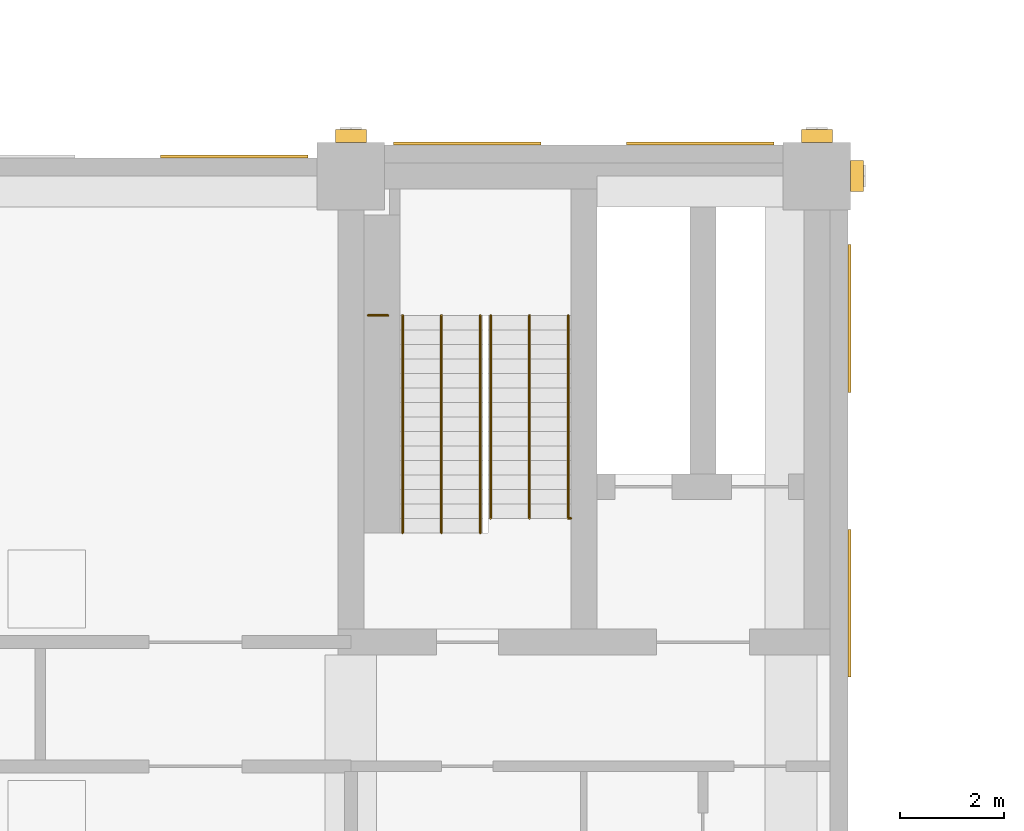
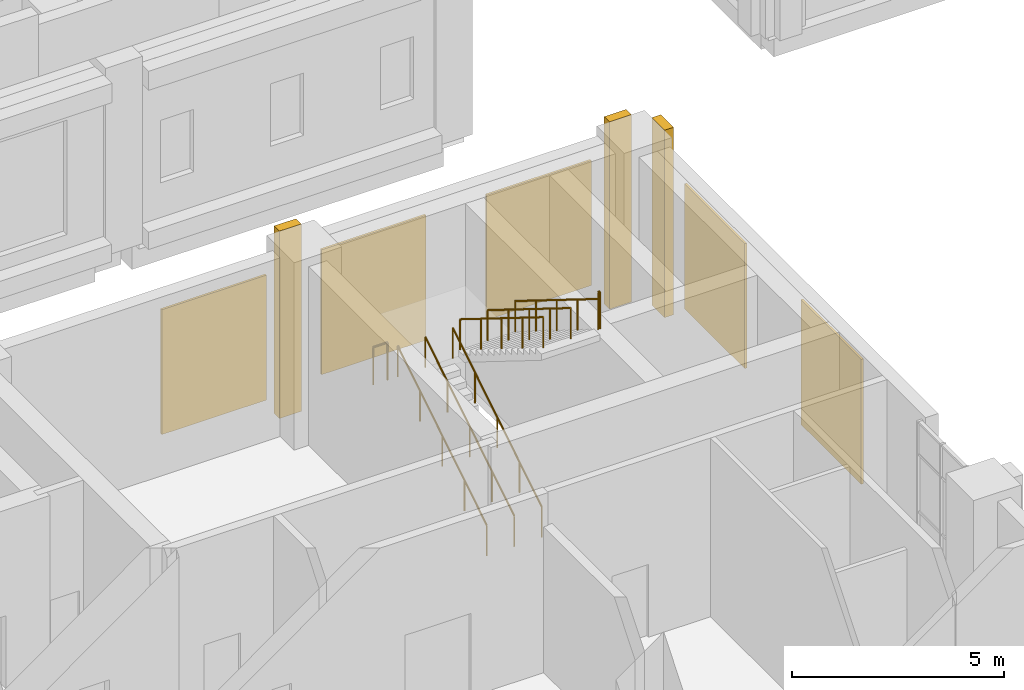
# One storey, part 28 of 37: 8 coverings, 8 railings.
"""IFC4 building model written with IfcOpenShell, lengths in metres."""

from ifc_helpers import new_model, si_unit, direction, frame, origin, origin_2d, place, context, subcontext, project, spatial, rectangle, circle, extrude, material, layer, layer_set, type_object, element, save


model = new_model("IFC4")

# Units and contexts
model_context = context("Model", 3, precision=1e-05, world=origin(), true_north=direction((0.0, 1.0)))
body_context = subcontext(model_context, "Body", "Model", "MODEL_VIEW")
ifc_project = project(units=[si_unit("LENGTHUNIT", "METRE"), si_unit("AREAUNIT", "SQUARE_METRE"), si_unit("VOLUMEUNIT", "CUBIC_METRE"), si_unit("PLANEANGLEUNIT", "RADIAN"), si_unit("MASSUNIT", "GRAM", prefix="KILO")], contexts=[model_context])

# Site, building, storey
site_placement = place(None, origin())
site = spatial("IfcSite", under=ifc_project, at=site_placement, CompositionType="ELEMENT")
building_placement = place(site_placement, origin())
building = spatial("IfcBuilding", under=site, at=building_placement, Name="Aurelan Courthouse", CompositionType="ELEMENT")
storey_placement = place(building_placement, frame((0.0, 0.0, 17.39990234375)))
storey = spatial("IfcBuildingStorey", under=building, at=storey_placement, Name="L03", CompositionType="ELEMENT", Elevation=17.39990234375)

# Coverings
ifc_material_1 = material(Name="Bronze sheet cladding")
ifc_layer = layer(ifc_material_1, 0.06005859375)
ifc_layer_set = layer_set([ifc_layer], Name="Bronze sheet cladding")
covering_type_1 = type_object("IfcCoveringType", Name="Courts' Floors blind bay 2850 x 3600", PredefinedType="CLADDING", material=ifc_layer_set)
for number, where, z_axis, x_axis, name in (
    (1, (15.75, 28.8798828125, 0.900146484375), (0.0, 0.0, 1.0), (1.0, 0.0, 0.0), "Blind bay BB-V5-L03-006"),
    (2, (20.25, 29.1298828125, 0.900146484375), (0.0, 0.0, 1.0), (1.0, 0.0, 0.0), "Blind bay BB-V5-L03-007"),
    (3, (24.75, 29.1298828125, 0.900146484375), (0.0, 0.0, 1.0), (1.0, 0.0, 0.0), "Blind bay BB-V5-L03-008"),
):
    element("IfcCovering", number, at=place(storey_placement, frame(where, z_axis=z_axis, x_axis=x_axis)), inside=storey, type_object=covering_type_1, Name=name, PredefinedType="CLADDING", context=body_context, shape_type="SweptSolid", body=[
        extrude(rectangle(XDim=2.85009765625, YDim=0.06005859375, at=origin_2d()), origin(), (0.0, 0.0, 1.0), 3.60009765625),
    ])
for number, where, z_axis, x_axis, name in (
    (4, (27.6298828125, 20.25, 0.900146484375), (0.0, 0.0, 1.0), (1.0, 0.0, 0.0), "Blind bay BB-V5-L03-009"),
    (5, (27.6298828125, 25.75, 0.900146484375), (0.0, 0.0, 1.0), (1.0, 0.0, 0.0), "Blind bay BB-V5-L03-010"),
):
    element("IfcCovering", number, at=place(storey_placement, frame(where, z_axis=z_axis, x_axis=x_axis)), inside=storey, type_object=covering_type_1, Name=name, PredefinedType="CLADDING", context=body_context, shape_type="SweptSolid", body=[
        extrude(rectangle(XDim=0.06005859375, YDim=2.85009765625, at=origin_2d()), origin(), (0.0, 0.0, 1.0), 3.60009765625),
    ])
ifc_material_2 = material(Name="Limestone cladding", Category="masonry")
covering_type_2 = type_object("IfcCoveringType", Name="Courts' Floors pilaster fin 600 x 250", PredefinedType="CLADDING", material=ifc_material_2)
for number, where, z_axis, x_axis, name in (
    (6, (18.0, 29.27490234375, 0.000244140625), (0.0, 0.0, 1.0), (1.0, 0.0, 0.0), "Pilaster fin FN-V5-021"),
    (7, (27.0, 29.27490234375, 0.000244140625), (0.0, 0.0, 1.0), (1.0, 0.0, 0.0), "Pilaster fin FN-V5-022"),
):
    element("IfcCovering", number, at=place(storey_placement, frame(where, z_axis=z_axis, x_axis=x_axis)), inside=storey, type_object=covering_type_2, Name=name, PredefinedType="CLADDING", context=body_context, shape_type="SweptSolid", body=[
        extrude(rectangle(XDim=0.60009765625, YDim=0.25, at=origin_2d()), origin(), (0.0, 0.0, 1.0), 5.39990234375),
    ])
covering_placement = place(storey_placement, frame((27.77490234375, 28.5, 0.000244140625), z_axis=(0.0, 0.0, 1.0), x_axis=(1.0, 0.0, 0.0)))
element("IfcCovering", 8, at=covering_placement, inside=storey, type_object=covering_type_2, Name="Pilaster fin FN-V5-025", PredefinedType="CLADDING", context=body_context, shape_type="SweptSolid", body=[
    extrude(rectangle(XDim=0.25, YDim=0.60009765625, at=origin_2d()), origin(), (0.0, 0.0, 1.0), 5.39990234375),
])

# Railings
ifc_material_3 = material(Name="Steel S355", Category="steel")
railing_type_1 = type_object("IfcRailingType", Name="Stair guard 1100", PredefinedType="GUARDRAIL", material=ifc_material_3)
railing_1_placement = place(storey_placement, frame((22.199951171875, 21.889892578125, 5.400146484375)))
element("IfcRailing", 9, at=railing_1_placement, inside=storey, type_object=railing_type_1, Name="Guard ST-5A-L03-H5-C", PredefinedType="GUARDRAIL", context=body_context, shape_type="SweptSolid", body=[
    extrude(circle(Radius=0.02392578125, at=origin_2d()), frame((0.0, 0.0, 1.076171875), z_axis=(1.0, 0.0, 0.0), x_axis=(0.0, 1.0, 0.0)), (0.0, 0.0, 1.0), 0.050048828125),
    extrude(circle(Radius=0.02099609375, at=origin_2d()), origin(), (0.0, 0.0, 1.0), 1.052001953125),
    extrude(circle(Radius=0.02099609375, at=origin_2d()), frame((0.050048828125, 0.0, 0.0)), (0.0, 0.0, 1.0), 1.052001953125),
])
railing_2_placement = place(storey_placement, frame((18.719970703125, 25.81005859375, 2.787109375)))
element("IfcRailing", 10, at=railing_2_placement, inside=storey, type_object=railing_type_1, Name="Guard ST-5A-L03-GL1", PredefinedType="GUARDRAIL", context=body_context, shape_type="SweptSolid", body=[
    extrude(circle(Radius=0.02392578125, at=origin_2d()), frame((0.0, 0.0, 1.076171875), z_axis=(-1.0, 0.0, 0.0), x_axis=(0.0, -1.0, 0.0)), (0.0, 0.0, 1.0), 0.389892578125),
    extrude(circle(Radius=0.02099609375, at=origin_2d()), origin(), (0.0, 0.0, 1.0), 1.052001953125),
    extrude(circle(Radius=0.02099609375, at=origin_2d()), frame((-0.389892578125, 0.0, 0.0)), (0.0, 0.0, 1.0), 1.052001953125),
])
railing_type_2 = type_object("IfcRailingType", Name="Stair handrail 900", PredefinedType="HANDRAIL", material=ifc_material_3)
for number, where, name in (
    (11, (19.0, 21.610107421875, 0.17431640625), "Handrail ST-5A-L03-H1"),
    (12, (20.5, 21.610107421875, 0.17431640625), "Handrail ST-5A-L03-H2"),
    (13, (19.75, 21.610107421875, 0.17431640625), "Handrail ST-5A-L03-H3"),
):
    element("IfcRailing", number, at=place(storey_placement, frame(where)), inside=storey, type_object=railing_type_2, Name=name, PredefinedType="HANDRAIL", context=body_context, shape_type="SweptSolid", body=[
        extrude(circle(Radius=0.02392578125, at=origin_2d()), frame((0.0, 0.0, 0.8759765625), z_axis=(0.0, 0.849102848233, 0.528227558088), x_axis=(-1.0, 0.0, 0.0)), (0.0, 0.0, 1.0), 4.9462890625),
        extrude(circle(Radius=0.02099609375, at=origin_2d()), origin(), (0.0, 0.0, 1.0), 0.851806640625),
        extrude(circle(Radius=0.02099609375, at=origin_2d()), frame((0.0, 1.050048828125, 0.6533203125)), (0.0, 0.0, 1.0), 0.851806640625),
        extrude(circle(Radius=0.02099609375, at=origin_2d()), frame((0.0, 2.10009765625, 1.306396484375)), (0.0, 0.0, 1.0), 0.851806640625),
        extrude(circle(Radius=0.02099609375, at=origin_2d()), frame((0.0, 3.14990234375, 1.95947265625)), (0.0, 0.0, 1.0), 0.851806640625),
        extrude(circle(Radius=0.02099609375, at=origin_2d()), frame((0.0, 4.199951171875, 2.61279296875)), (0.0, 0.0, 1.0), 0.851806640625),
    ])
for number, where, name in (
    (14, (20.699951171875, 25.81005859375, 2.96142578125), "Handrail ST-5A-L03-H4"),
    (15, (22.199951171875, 25.81005859375, 2.96142578125), "Handrail ST-5A-L03-H5"),
    (16, (21.449951171875, 25.81005859375, 2.96142578125), "Handrail ST-5A-L03-H6"),
):
    element("IfcRailing", number, at=place(storey_placement, frame(where)), inside=storey, type_object=railing_type_2, Name=name, PredefinedType="HANDRAIL", context=body_context, shape_type="SweptSolid", body=[
        extrude(circle(Radius=0.02392578125, at=origin_2d()), frame((0.0, 0.0, 0.8759765625), z_axis=(0.0, -0.849104567483, 0.528224794457), x_axis=(1.0, 0.0, 0.0)), (0.0, 0.0, 1.0), 4.616943359375),
        extrude(circle(Radius=0.02099609375, at=origin_2d()), origin(), (0.0, 0.0, 1.0), 0.851806640625),
        extrude(circle(Radius=0.02099609375, at=origin_2d()), frame((0.0, -0.97998046875, 0.609619140625)), (0.0, 0.0, 1.0), 0.851806640625),
        extrude(circle(Radius=0.02099609375, at=origin_2d()), frame((0.0, -1.9599609375, 1.21923828125)), (0.0, 0.0, 1.0), 0.851806640625),
        extrude(circle(Radius=0.02099609375, at=origin_2d()), frame((0.0, -2.940185546875, 1.8291015625)), (0.0, 0.0, 1.0), 0.851806640625),
        extrude(circle(Radius=0.02099609375, at=origin_2d()), frame((0.0, -3.920166015625, 2.438720703125)), (0.0, 0.0, 1.0), 0.851806640625),
    ])

save(model, "model.ifc")
